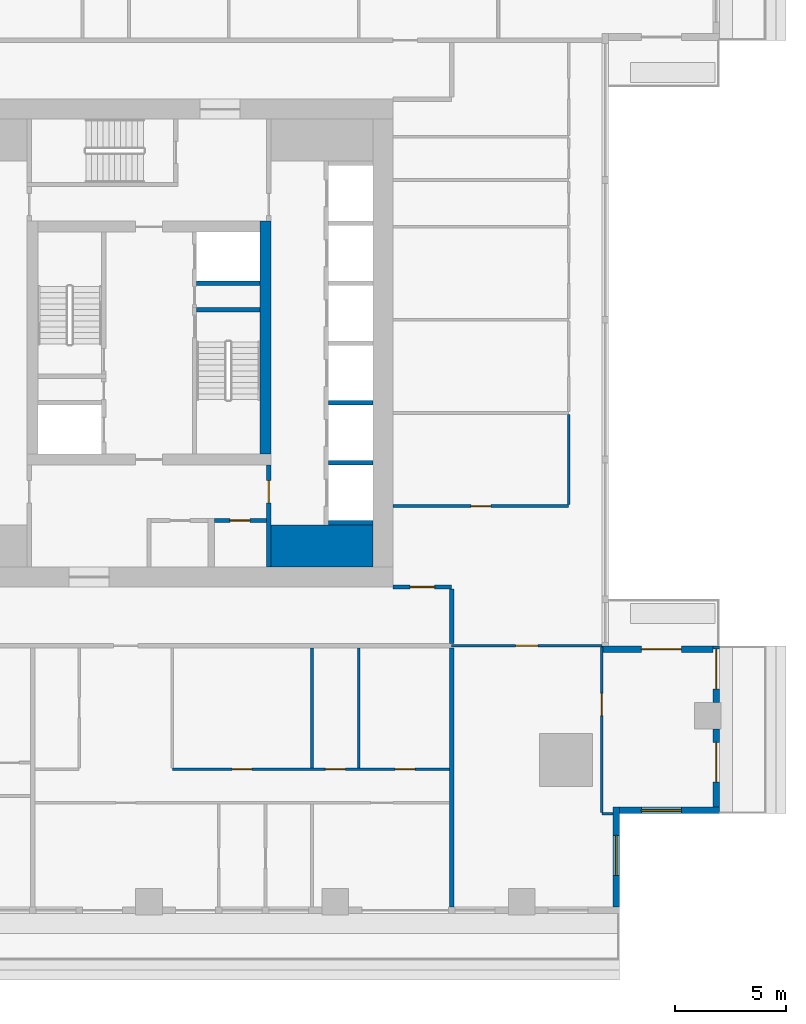
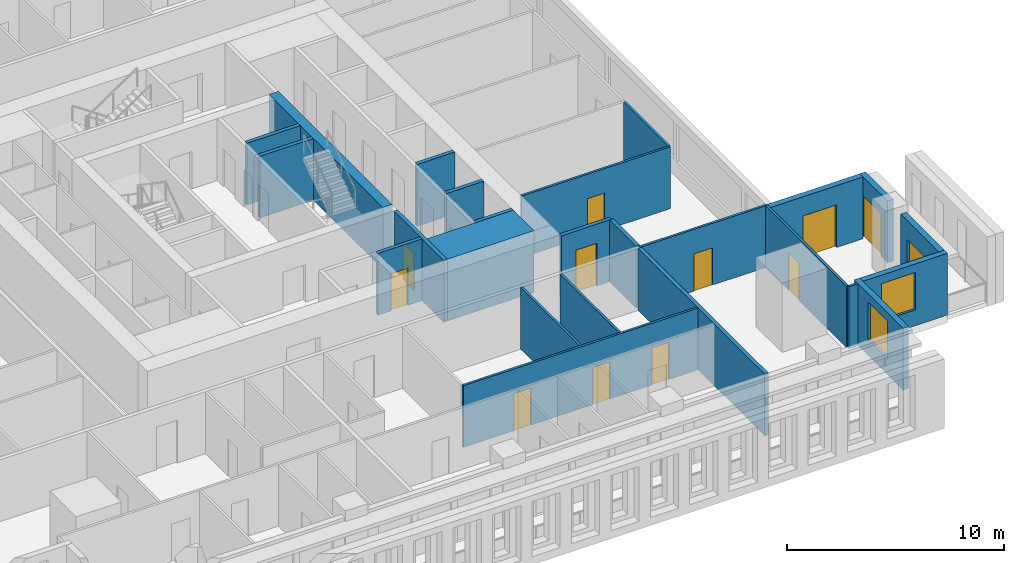
# One storey, part 5 of 15: 25 walls, 12 doors, 2 windows, 14 openings.
"""IFC4 building model written with IfcOpenShell, lengths in metres."""

import ifcopenshell
import ifcopenshell.guid

model = None  # the IFC model being written
_history = None  # IfcOwnerHistory: only IFC2X3 demands one
_inside = {}  # id of a spatial element -> (the spatial element, [elements in it])
_under = {}  # id of a project, library or spatial element -> (it, [spatial elements below it])
_declared = {}  # id of a project -> (the project, [libraries it declares])
_typed = {}  # id of a type object -> (the type object, [elements of that type])
_made_of = {}  # id of a material, layer set ... -> (it, [elements and type objects made of it])


def new_model(schema):
    """Start an empty IFC model of exactly this schema.

    Asked for "IFC4X3", IfcOpenShell would pick the latest addendum, in which some entities
    have other attributes; the version numbers below select the first issue.
    IFC2X3 requires an IfcOwnerHistory on every rooted entity: one is made here for all.
    """
    global model, _history
    if schema == "IFC4X3":
        model = ifcopenshell.file(schema_version=(4, 3, 0, 0))
    else:
        model = ifcopenshell.file(schema=schema)
    _inside.clear()
    _under.clear()
    _declared.clear()
    _typed.clear()
    _made_of.clear()
    _history = None
    if model.schema == "IFC2X3":
        org = make("IfcOrganization", Name="unknown")
        user = make(
            "IfcPersonAndOrganization",
            ThePerson=make("IfcPerson", FamilyName="unknown"),
            TheOrganization=org,
        )
        app = make(
            "IfcApplication",
            ApplicationDeveloper=org,
            Version="unknown",
            ApplicationFullName="unknown",
            ApplicationIdentifier="unknown",
        )
        _history = make(
            "IfcOwnerHistory",
            OwningUser=user,
            OwningApplication=app,
            ChangeAction="ADDED",
            CreationDate=0,
        )
    return model


def make(cls, **values):
    """One entity of the class cls with the attributes given. An attribute that is None is left unset."""
    return model.create_entity(
        cls, **{name: value for name, value in values.items() if value is not None}
    )


def rooted(cls, **values):
    """An entity with a GlobalId (a new one), such as an element, a storey or a relation."""
    return make(cls, GlobalId=ifcopenshell.guid.new(), OwnerHistory=_history, **values)


def si_unit(unit_type, name, prefix=None):
    """IfcSIUnit, for example si_unit("LENGTHUNIT", "METRE", prefix="MILLI")."""
    return make("IfcSIUnit", UnitType=unit_type, Prefix=prefix, Name=name)


def assignment(units):
    """IfcUnitAssignment: the units of a project."""
    return None if units is None else make("IfcUnitAssignment", Units=units)


def point(xyz):
    """IfcCartesianPoint."""
    return None if xyz is None else make("IfcCartesianPoint", Coordinates=xyz)


def direction(xyz):
    """IfcDirection."""
    return None if xyz is None else make("IfcDirection", DirectionRatios=xyz)


def frame(location, z_axis=None, x_axis=None):
    """IfcAxis2Placement3D, a coordinate frame: its origin and axes. An axis left out is left unset."""
    return make(
        "IfcAxis2Placement3D",
        Location=point(location),
        Axis=direction(z_axis),
        RefDirection=direction(x_axis),
    )


def frame_2d(location, x_axis=None):
    """IfcAxis2Placement2D, a coordinate frame in the plane: its origin and x axis."""
    return make(
        "IfcAxis2Placement2D", Location=point(location), RefDirection=direction(x_axis)
    )


def origin():
    """The frame at (0, 0, 0) with its axes left unset."""
    return frame((0.0, 0.0, 0.0))


def place(relative_to, where):
    """IfcLocalPlacement: puts the frame where relative to a parent placement (None: the world)."""
    return make(
        "IfcLocalPlacement", PlacementRelTo=relative_to, RelativePlacement=where
    )


def context(
    kind, dimensions, precision=None, world=None, true_north=None, identifier=None
):
    """IfcGeometricRepresentationContext, for example the 3D "Model" context."""
    return make(
        "IfcGeometricRepresentationContext",
        ContextIdentifier=identifier,
        ContextType=kind,
        CoordinateSpaceDimension=dimensions,
        Precision=precision,
        WorldCoordinateSystem=world,
        TrueNorth=true_north,
    )


def subcontext(parent, identifier, kind, view, scale=None):
    """IfcGeometricRepresentationSubContext, for example "Body" below "Model"."""
    return make(
        "IfcGeometricRepresentationSubContext",
        ContextIdentifier=identifier,
        ContextType=kind,
        ParentContext=parent,
        TargetScale=scale,
        TargetView=view,
    )


def project(units=None, contexts=None):
    """IfcProject with its units and contexts."""
    return rooted(
        "IfcProject",
        Name="project",
        RepresentationContexts=contexts,
        UnitsInContext=assignment(units),
    )


def spatial(cls, under=None, at=None, **own):
    """A site, building, storey or space (cls), placed at a placement, below another one or the project."""
    s = rooted(cls, ObjectPlacement=at, **own)
    if under is not None:
        _under.setdefault(under.id(), (under, []))[1].append(s)
    return s


def profile(cls, at=None, kind="AREA", **sizes):
    """A parametric profile (cls). Its sizes go by their IFC names, for example OverallWidth=200.0."""
    return make(cls, ProfileType=kind, Position=at, **sizes)


def rectangle(**sizes):
    """IfcRectangleProfileDef."""
    return profile("IfcRectangleProfileDef", **sizes)


def extrude(swept, where, along, depth):
    """IfcExtrudedAreaSolid: the profile swept, set in the frame where, extruded along a direction by depth."""
    return make(
        "IfcExtrudedAreaSolid",
        SweptArea=swept,
        Position=where,
        ExtrudedDirection=direction(along),
        Depth=depth,
    )


def shape(context_of_items, identifier, shape_type, items):
    """IfcShapeRepresentation: the items that make up one representation, for example the "Body"."""
    return make(
        "IfcShapeRepresentation",
        ContextOfItems=context_of_items,
        RepresentationIdentifier=identifier,
        RepresentationType=shape_type,
        Items=items,
    )


def material(Name=None, Category=None):
    """IfcMaterial."""
    return make("IfcMaterial", Name=Name, Category=Category)


def layer(
    of_material, thickness, ventilated=None, Name=None, Category=None, Priority=None
):
    """IfcMaterialLayer: one layer of a wall or slab, of a material (None: an air gap)."""
    return make(
        "IfcMaterialLayer",
        Material=of_material,
        LayerThickness=thickness,
        IsVentilated=ventilated,
        Name=Name,
        Category=Category,
        Priority=Priority,
    )


def layer_set(layers, Name=None):
    """IfcMaterialLayerSet."""
    return make("IfcMaterialLayerSet", MaterialLayers=layers, LayerSetName=Name)


def made_of(thing, what):
    """Note that an element or type object is made of a material, layer set ...; save() writes the relation."""
    if what is not None:
        _made_of.setdefault(what.id(), (what, []))[1].append(thing)
    return thing


def type_object(cls, material=None, **own):
    """A type object (cls), such as IfcWallType, which elements share."""
    return made_of(rooted(cls, **own), material)


def element(
    cls,
    number,
    at=None,
    inside=None,
    cuts=None,
    type_object=None,
    material=None,
    context=None,
    identifier="Body",
    shape_type=None,
    held_by="IfcProductDefinitionShape",
    body=None,
    shapes=None,
    **own,
):
    """One element of the class cls, such as IfcWall. Its Tag is "e" and its number.

    at: its placement. inside: the storey or other place that contains it. cuts: it is an
    opening in that element (IfcRelVoidsElement). A single representation is given by context,
    identifier, shape_type and body (its items); several are given by shapes. held_by: the class
    of the entity that holds the representations. save() writes the other relations.
    """
    e = rooted(cls, Tag="e%d" % number, ObjectPlacement=at, **own)
    if body is not None:
        shapes = [shape(context, identifier, shape_type, body)]
    if shapes is not None:
        e.Representation = make(held_by, Representations=shapes)
    if inside is not None:
        _inside.setdefault(inside.id(), (inside, []))[1].append(e)
    if cuts is not None:
        rooted(
            "IfcRelVoidsElement", RelatingBuildingElement=cuts, RelatedOpeningElement=e
        )
    if type_object is not None:
        _typed.setdefault(type_object.id(), (type_object, []))[1].append(e)
    return made_of(e, material)


def fill(opening, filler):
    """IfcRelFillsElement: the door or window that sits in an opening."""
    return rooted(
        "IfcRelFillsElement",
        RelatingOpeningElement=opening,
        RelatedBuildingElement=filler,
    )


def aggregate(whole, parts):
    """IfcRelAggregates: a whole, such as a stair, and the parts it consists of."""
    return rooted("IfcRelAggregates", RelatingObject=whole, RelatedObjects=parts)


def save(model, path):
    """Write the relations noted so far, then the file.

    IfcRelAggregates (storeys below a building ...), IfcRelContainedInSpatialStructure (elements
    in a storey), IfcRelDefinesByType, IfcRelAssociatesMaterial and IfcRelDeclares: one each for
    every whole, place, type object, material and project.
    """
    for whole, parts in _under.values():
        aggregate(whole, parts)
    for where, things in _inside.values():
        rooted(
            "IfcRelContainedInSpatialStructure",
            RelatedElements=things,
            RelatingStructure=where,
        )
    for kind, things in _typed.values():
        rooted("IfcRelDefinesByType", RelatedObjects=things, RelatingType=kind)
    for what, things in _made_of.values():
        rooted("IfcRelAssociatesMaterial", RelatedObjects=things, RelatingMaterial=what)
    for by, libraries in _declared.values():
        rooted("IfcRelDeclares", RelatingContext=by, RelatedDefinitions=libraries)
    model.write(path)


model = new_model("IFC4")

# Units and contexts
model_context = context("Model", 3, precision=1e-05, world=origin(), true_north=direction((0.0, 1.0)))
body_context = subcontext(model_context, "Body", "Model", "MODEL_VIEW")
ifc_project = project(units=[si_unit("LENGTHUNIT", "METRE"), si_unit("AREAUNIT", "SQUARE_METRE"), si_unit("VOLUMEUNIT", "CUBIC_METRE"), si_unit("PLANEANGLEUNIT", "RADIAN"), si_unit("MASSUNIT", "GRAM", prefix="KILO")], contexts=[model_context])

# Site, building, storey
site_placement = place(None, origin())
site = spatial("IfcSite", under=ifc_project, at=site_placement, CompositionType="ELEMENT")
building_placement = place(site_placement, origin())
building = spatial("IfcBuilding", under=site, at=building_placement, Name="Khepri Terraces", CompositionType="ELEMENT")
storey_placement = place(building_placement, frame((0.0, 0.0, 227.39990234375)))
storey = spatial("IfcBuildingStorey", under=building, at=storey_placement, Name="L54", CompositionType="ELEMENT", Elevation=227.39990234375)

# Walls
ifc_material_1 = material(Name="Concrete C50/60", Category="concrete")
ifc_layer_1 = layer(ifc_material_1, 1.89990234375, Name="Concrete C50/60", Category="concrete")
ifc_layer_set_1 = layer_set([ifc_layer_1], Name="Concrete C50/60")
wall_type_1 = type_object("IfcWallType", Name="Core wall 1900 C50/60", PredefinedType="SHEAR", material=ifc_layer_set_1)
wall_1_placement = place(storey_placement, frame((5.5, -9.14990234375, 0.0), z_axis=(0.0, 0.0, 1.0), x_axis=(1.0, 0.0, 0.0)))
element("IfcWall", 1, at=wall_1_placement, inside=storey, type_object=wall_type_1, Name="Core wall PR02 L54", PredefinedType="SHEAR", context=body_context, shape_type="SweptSolid", body=[
    extrude(rectangle(XDim=4.60009765625, YDim=1.89990234375, at=frame_2d((2.300048828125, 0.0))), origin(), (0.0, 0.0, 1.0), 3.47998046875),
])
ifc_layer_2 = layer(ifc_material_1, 0.199951171875, Name="Concrete C50/60", Category="concrete")
ifc_layer_set_2 = layer_set([ifc_layer_2], Name="Concrete C50/60")
wall_type_2 = type_object("IfcWallType", Name="Core wall 200 C50/60", PredefinedType="SHEAR", material=ifc_layer_set_2)
wall_2_placement = place(storey_placement, frame((2.14990234375, 1.5, 0.0), z_axis=(0.0, 0.0, 1.0), x_axis=(1.0, 0.0, 0.0)))
element("IfcWall", 2, at=wall_2_placement, inside=storey, type_object=wall_type_2, Name="Core wall ST04 L54", PredefinedType="SHEAR", context=body_context, shape_type="SweptSolid", body=[
    extrude(rectangle(XDim=2.85009765625, YDim=0.199951171875, at=frame_2d((1.425048828125, 0.0))), origin(), (0.0, 0.0, 1.0), 3.47998046875),
])
for number, where, z_axis, x_axis, name in (
    (3, (8.10009765625, -8.10009765625, 0.0), (0.0, 0.0, 1.0), (1.0, 0.0, 0.0), "Core wall SH03 L54"),
    (4, (8.10009765625, -5.39990234375, 0.0), (0.0, 0.0, 1.0), (1.0, 0.0, 0.0), "Core wall SH04 L54"),
    (5, (8.10009765625, -2.699951171875, 0.0), (0.0, 0.0, 1.0), (1.0, 0.0, 0.0), "Core wall SH08 L54"),
):
    element("IfcWall", number, at=place(storey_placement, frame(where, z_axis=z_axis, x_axis=x_axis)), inside=storey, type_object=wall_type_2, Name=name, PredefinedType="SHEAR", context=body_context, shape_type="SweptSolid", body=[
        extrude(rectangle(XDim=2.0, YDim=0.199951171875, at=frame_2d((1.0, 0.0))), origin(), (0.0, 0.0, 1.0), 3.47998046875),
    ])
wall_3_placement = place(storey_placement, frame((2.14990234375, 2.699951171875, 0.0), z_axis=(0.0, 0.0, 1.0), x_axis=(1.0, 0.0, 0.0)))
element("IfcWall", 6, at=wall_3_placement, inside=storey, type_object=wall_type_2, Name="Core wall SH12 L54", PredefinedType="SHEAR", context=body_context, shape_type="SweptSolid", body=[
    extrude(rectangle(XDim=2.85009765625, YDim=0.199951171875, at=frame_2d((1.425048828125, 0.0))), origin(), (0.0, 0.0, 1.0), 3.47998046875),
])
ifc_layer_3 = layer(ifc_material_1, 0.5, Name="Concrete C50/60", Category="concrete")
ifc_layer_set_3 = layer_set([ifc_layer_3], Name="Concrete C50/60")
wall_type_3 = type_object("IfcWallType", Name="Core wall 500 C50/60", PredefinedType="SHEAR", material=ifc_layer_set_3)
wall_4_placement = place(storey_placement, frame((5.25, -5.0, 0.0), z_axis=(0.0, 0.0, 1.0), x_axis=(0.0, 1.0, 0.0)))
element("IfcWall", 7, at=wall_4_placement, inside=storey, type_object=wall_type_3, Name="Core wall BX03 L54", PredefinedType="SHEAR", context=body_context, shape_type="SweptSolid", body=[
    extrude(rectangle(XDim=10.5, YDim=0.5, at=frame_2d((5.25, 0.0))), origin(), (0.0, 0.0, 1.0), 3.47998046875),
])

# Wall, opening, door
ifc_material_2 = material(Name="Fire-rated gypsum board partition")
ifc_layer_4 = layer(ifc_material_2, 0.199951171875, Name="Fire-rated gypsum board partition")
ifc_layer_set_4 = layer_set([ifc_layer_4], Name="Fire-rated gypsum board partition")
wall_type_4 = type_object("IfcWallType", Name="WL-CORE-PART-200", PredefinedType="PARTITIONING", material=ifc_layer_set_4)
wall_5_placement = place(storey_placement, frame((5.39990234375, -10.10009765625, 0.0), z_axis=(0.0, 0.0, 1.0), x_axis=(0.0, 1.0, 0.0)))
wall_5 = element("IfcWall", 8, at=wall_5_placement, inside=storey, type_object=wall_type_4, Name="Core partition PT04 L54", PredefinedType="PARTITIONING", context=body_context, shape_type="SweptSolid", body=[
    extrude(rectangle(XDim=4.60009765625, YDim=0.199951171875, at=frame_2d((2.300048828125, 0.0))), origin(), (0.0, 0.0, 1.0), 3.47998046875),
])
opening_1_placement = place(wall_5_placement, frame((2.89990234375, 0.0, 0.0)))
opening_1 = element("IfcOpeningElement", 9, at=opening_1_placement, cuts=wall_5, Name="Opening L54-C19", PredefinedType="OPENING", context=body_context, shape_type="SweptSolid", body=[
    extrude(rectangle(XDim=1.0, YDim=2.10009765625, at=frame_2d((0.5, 1.050048828125))), frame((0.0, 0.10986328125, 0.0), z_axis=(0.0, -1.0, 0.0), x_axis=(1.0, 0.0, 0.0)), (0.0, 0.0, 1.0), 0.219970703125),
])
ifc_material_3 = material(Name="Painted steel", Category="steel")
door_type_1 = type_object("IfcDoorType", Name="DR-CORE-LOBBY-1000", OperationType="NOTDEFINED", PredefinedType="DOOR", material=ifc_material_3)
door_1_placement = place(opening_1_placement, origin())
door_1 = element("IfcDoor", 10, at=door_1_placement, inside=storey, type_object=door_type_1, Name="Lobby door L54-C19", OperationType="SINGLE_SWING_RIGHT", OverallHeight=2.10009765625, OverallWidth=1.0, PredefinedType="DOOR", context=body_context, shape_type="SweptSolid", body=[
    extrude(rectangle(XDim=1.0, YDim=2.10009765625, at=frame_2d((0.5, 1.050048828125))), frame((0.0, 0.02490234375, 0.0), z_axis=(0.0, -1.0, 0.0), x_axis=(1.0, 0.0, 0.0)), (0.0, 0.0, 1.0), 0.050048828125),
])
fill(opening_1, door_1)

wall_6_placement = place(storey_placement, frame((2.949951171875, -8.0, 0.0), z_axis=(0.0, 0.0, 1.0), x_axis=(1.0, 0.0, 0.0)))
wall_6 = element("IfcWall", 11, at=wall_6_placement, inside=storey, type_object=wall_type_4, Name="Core partition PT07 L54", PredefinedType="PARTITIONING", context=body_context, shape_type="SweptSolid", body=[
    extrude(rectangle(XDim=2.35009765625, YDim=0.199951171875, at=frame_2d((1.175048828125, 0.0))), origin(), (0.0, 0.0, 1.0), 3.47998046875),
])
opening_2_placement = place(wall_6_placement, frame((0.699951171875, 0.0, 0.0)))
opening_2 = element("IfcOpeningElement", 12, at=opening_2_placement, cuts=wall_6, Name="Opening L54-C23", PredefinedType="OPENING", context=body_context, shape_type="SweptSolid", body=[
    extrude(rectangle(XDim=0.89990234375, YDim=2.10009765625, at=frame_2d((0.449951171875, 1.050048828125))), frame((0.0, 0.10986328125, 0.0), z_axis=(0.0, -1.0, 0.0), x_axis=(1.0, 0.0, 0.0)), (0.0, 0.0, 1.0), 0.219970703125),
])
door_type_2 = type_object("IfcDoorType", Name="DR-CORE-SERVICE-900", OperationType="NOTDEFINED", PredefinedType="DOOR", material=ifc_material_3)
door_2_placement = place(opening_2_placement, frame((0.89990234375, 0.0, 0.0), z_axis=(0.0, 0.0, 1.0), x_axis=(-1.0, 0.0, 0.0)))
door_2 = element("IfcDoor", 13, at=door_2_placement, inside=storey, type_object=door_type_2, Name="Service room door L54-C23", OperationType="SINGLE_SWING_RIGHT", OverallHeight=2.10009765625, OverallWidth=0.89990234375, PredefinedType="DOOR", context=body_context, shape_type="SweptSolid", body=[
    extrude(rectangle(XDim=0.89990234375, YDim=2.10009765625, at=frame_2d((0.449951171875, 1.050048828125))), frame((0.0, 0.02490234375, 0.0), z_axis=(0.0, -1.0, 0.0), x_axis=(1.0, 0.0, 0.0)), (0.0, 0.0, 1.0), 0.050048828125),
])
fill(opening_2, door_2)

# Walls
ifc_material_4 = material(Name="Fire-rated gypsum plasterboard partition, mineral wool")
ifc_layer_5 = layer(ifc_material_4, 0.199951171875, Name="Fire-rated gypsum plasterboard partition, mineral wool")
ifc_layer_set_5 = layer_set([ifc_layer_5], Name="Fire-rated gypsum plasterboard partition, mineral wool")
wall_type_5 = type_object("IfcWallType", Name="WL-CORR-200", PredefinedType="PARTITIONING", material=ifc_layer_set_5)
wall_7_placement = place(storey_placement, frame((13.64990234375, -25.419921875, 0.0), z_axis=(0.0, 0.0, 1.0), x_axis=(0.0, 1.0, 0.0)))
element("IfcWall", 14, at=wall_7_placement, inside=storey, type_object=wall_type_5, Name="Partition P-008 L54", PredefinedType="PARTITIONING", context=body_context, shape_type="SweptSolid", body=[
    extrude(rectangle(XDim=11.669921875, YDim=0.199951171875, at=frame_2d((5.8349609375, 0.0))), origin(), (0.0, 0.0, 1.0), 3.47998046875),
])
wall_8_placement = place(storey_placement, frame((13.64990234375, -13.550048828125, 0.0), z_axis=(0.0, 0.0, 1.0), x_axis=(0.0, 1.0, 0.0)))
element("IfcWall", 15, at=wall_8_placement, inside=storey, type_object=wall_type_5, Name="Partition P-030 L54", PredefinedType="PARTITIONING", context=body_context, shape_type="SweptSolid", body=[
    extrude(rectangle(XDim=2.449951171875, YDim=0.199951171875, at=frame_2d((1.22509765625, 0.0))), origin(), (0.0, 0.0, 1.0), 3.47998046875),
])

# Wall, opening, door
wall_9_placement = place(storey_placement, frame((11.0, -11.0, 0.0), z_axis=(0.0, 0.0, 1.0), x_axis=(1.0, 0.0, 0.0)))
wall_9 = element("IfcWall", 16, at=wall_9_placement, inside=storey, type_object=wall_type_5, Name="Partition P-033 L54", PredefinedType="PARTITIONING", context=body_context, shape_type="SweptSolid", body=[
    extrude(rectangle(XDim=2.64990234375, YDim=0.199951171875, at=frame_2d((1.324951171875, 0.0))), origin(), (0.0, 0.0, 1.0), 3.47998046875),
])
opening_3_placement = place(wall_9_placement, frame((0.77490234375, 0.0, 0.0)))
opening_3 = element("IfcOpeningElement", 17, at=opening_3_placement, cuts=wall_9, Name="Opening D1", PredefinedType="OPENING", context=body_context, shape_type="SweptSolid", body=[
    extrude(rectangle(XDim=1.10009765625, YDim=2.39990234375, at=frame_2d((0.550048828125, 1.199951171875))), frame((0.0, 0.10986328125, 0.0), z_axis=(0.0, -1.0, 0.0), x_axis=(1.0, 0.0, 0.0)), (0.0, 0.0, 1.0), 0.219970703125),
])
ifc_material_5 = material(Name="Solid-core timber door leaf, flat entrance door", Category="wood")
door_type_3 = type_object("IfcDoorType", Name="DR-ENT-1100", OperationType="NOTDEFINED", PredefinedType="DOOR", material=ifc_material_5)
door_3_placement = place(opening_3_placement, origin())
door_3 = element("IfcDoor", 18, at=door_3_placement, inside=storey, type_object=door_type_3, Name="Flat B1 entrance door", OperationType="SINGLE_SWING_LEFT", OverallHeight=2.39990234375, OverallWidth=1.10009765625, PredefinedType="DOOR", context=body_context, shape_type="SweptSolid", body=[
    extrude(rectangle(XDim=1.10009765625, YDim=2.39990234375, at=frame_2d((0.550048828125, 1.199951171875))), frame((0.0, 0.02490234375, 0.0), z_axis=(0.0, -1.0, 0.0), x_axis=(1.0, 0.0, 0.0)), (0.0, 0.0, 1.0), 0.050048828125),
])
fill(opening_3, door_3)

# Wall, opening, window
ifc_material_6 = material(Name="Precast concrete C50/60 warm stone", Category="masonry")
ifc_layer_6 = layer(ifc_material_6, 0.300048828125, Name="Precast concrete C50/60 warm stone", Category="masonry")
ifc_layer_set_6 = layer_set([ifc_layer_6], Name="Precast concrete C50/60 warm stone")
wall_type_6 = type_object("IfcWallType", Name="WL-EXT-PRECAST-300", PredefinedType="STANDARD", material=ifc_layer_set_6)
wall_10_placement = place(storey_placement, frame((21.219970703125, -21.070068359375, 0.0), z_axis=(0.0, 0.0, 1.0), x_axis=(1.0, 0.0, 0.0)))
wall_10 = element("IfcWall", 19, at=wall_10_placement, inside=storey, type_object=wall_type_6, Name="External wall L54 S", PredefinedType="STANDARD", context=body_context, shape_type="SweptSolid", body=[
    extrude(rectangle(XDim=4.5, YDim=0.300048828125, at=frame_2d((2.25, 0.0))), origin(), (0.0, 0.0, 1.0), 3.47998046875),
])
opening_4_placement = place(wall_10_placement, frame((0.97998046875, 0.0, 0.89990234375)))
opening_4 = element("IfcOpeningElement", 20, at=opening_4_placement, cuts=wall_10, Name="Opening W1", PredefinedType="OPENING", context=body_context, shape_type="SweptSolid", body=[
    extrude(rectangle(XDim=1.800048828125, YDim=2.10009765625, at=frame_2d((0.89990234375, 1.050048828125))), frame((0.0, 0.16015625, 0.0), z_axis=(0.0, -1.0, 0.0), x_axis=(1.0, 0.0, 0.0)), (0.0, 0.0, 1.0), 0.320068359375),
])
ifc_material_7 = material(Name="Clear glass", Category="glass")
window_type = type_object("IfcWindowType", Name="WIN-RES-1800x2100", PartitioningType="SINGLE_PANEL", PredefinedType="WINDOW", material=ifc_material_7)
window_1_placement = place(opening_4_placement, origin())
window_1 = element("IfcWindow", 21, at=window_1_placement, inside=storey, type_object=window_type, Name="Window L54 S", OverallHeight=2.10009765625, OverallWidth=1.800048828125, PartitioningType="SINGLE_PANEL", PredefinedType="WINDOW", context=body_context, shape_type="SweptSolid", body=[
    extrude(rectangle(XDim=1.800048828125, YDim=2.10009765625, at=frame_2d((0.89990234375, 1.050048828125))), frame((0.0, 0.030029296875, 0.0), z_axis=(0.0, -1.0, 0.0), x_axis=(1.0, 0.0, 0.0)), (0.0, 0.0, 1.0), 0.06005859375),
])
fill(opening_4, window_1)

# Wall, opening, door
wall_11_placement = place(storey_placement, frame((25.570068359375, -20.919921875, 0.0), z_axis=(0.0, 0.0, 1.0), x_axis=(0.0, 1.0, 0.0)))
wall_11 = element("IfcWall", 22, at=wall_11_placement, inside=storey, type_object=wall_type_6, Name="External wall L54 E", PredefinedType="STANDARD", context=body_context, shape_type="SweptSolid", body=[
    extrude(rectangle(XDim=3.52001953125, YDim=0.300048828125, at=frame_2d((1.760009765625, 0.0))), origin(), (0.0, 0.0, 1.0), 3.47998046875),
])
opening_5_placement = place(wall_11_placement, frame((1.1201171875, 0.0, 0.0)))
opening_5 = element("IfcOpeningElement", 23, at=opening_5_placement, cuts=wall_11, Name="Opening ED-L54-01", PredefinedType="OPENING", context=body_context, shape_type="SweptSolid", body=[
    extrude(rectangle(XDim=1.800048828125, YDim=2.39990234375, at=frame_2d((0.89990234375, 1.199951171875))), frame((0.0, 0.16015625, 0.0), z_axis=(0.0, -1.0, 0.0), x_axis=(1.0, 0.0, 0.0)), (0.0, 0.0, 1.0), 0.320068359375),
])
ifc_material_8 = material(Name="Anodised aluminium bronze glazed door", Category="aluminium")
door_type_4 = type_object("IfcDoorType", Name="DR-BAL-SLIDE-1800x2400", OperationType="NOTDEFINED", PredefinedType="DOOR", material=ifc_material_8)
door_4_placement = place(opening_5_placement, origin())
door_4 = element("IfcDoor", 24, at=door_4_placement, inside=storey, type_object=door_type_4, Name="Balcony door L54 E", OperationType="SLIDING_TO_RIGHT", OverallHeight=2.39990234375, OverallWidth=1.800048828125, PredefinedType="DOOR", context=body_context, shape_type="SweptSolid", body=[
    extrude(rectangle(XDim=1.800048828125, YDim=2.39990234375, at=frame_2d((0.89990234375, 1.199951171875))), frame((0.0, 0.02490234375, 0.0), z_axis=(0.0, -1.0, 0.0), x_axis=(1.0, 0.0, 0.0)), (0.0, 0.0, 1.0), 0.050048828125),
])
fill(opening_5, door_4)

wall_12_placement = place(storey_placement, frame((25.570068359375, -16.199951171875, 0.0), z_axis=(0.0, 0.0, 1.0), x_axis=(0.0, 1.0, 0.0)))
wall_12 = element("IfcWall", 25, at=wall_12_placement, inside=storey, type_object=wall_type_6, Name="External wall L54 E", PredefinedType="STANDARD", context=body_context, shape_type="SweptSolid", body=[
    extrude(rectangle(XDim=2.550048828125, YDim=0.300048828125, at=frame_2d((1.27490234375, 0.0))), origin(), (0.0, 0.0, 1.0), 3.47998046875),
])
opening_6_placement = place(wall_12_placement, frame((0.60009765625, 0.0, 0.0)))
opening_6 = element("IfcOpeningElement", 26, at=opening_6_placement, cuts=wall_12, Name="Opening ED-L54-02", PredefinedType="OPENING", context=body_context, shape_type="SweptSolid", body=[
    extrude(rectangle(XDim=1.800048828125, YDim=2.39990234375, at=frame_2d((0.89990234375, 1.199951171875))), frame((0.0, 0.16015625, 0.0), z_axis=(0.0, -1.0, 0.0), x_axis=(1.0, 0.0, 0.0)), (0.0, 0.0, 1.0), 0.320068359375),
])
door_5_placement = place(opening_6_placement, origin())
door_5 = element("IfcDoor", 27, at=door_5_placement, inside=storey, type_object=door_type_4, Name="Balcony door L54 E", OperationType="SLIDING_TO_LEFT", OverallHeight=2.39990234375, OverallWidth=1.800048828125, PredefinedType="DOOR", context=body_context, shape_type="SweptSolid", body=[
    extrude(rectangle(XDim=1.800048828125, YDim=2.39990234375, at=frame_2d((0.89990234375, 1.199951171875))), frame((0.0, 0.02490234375, 0.0), z_axis=(0.0, -1.0, 0.0), x_axis=(1.0, 0.0, 0.0)), (0.0, 0.0, 1.0), 0.050048828125),
])
fill(opening_6, door_5)

wall_13_placement = place(storey_placement, frame((25.419921875, -13.800048828125, 0.0), z_axis=(0.0, 0.0, 1.0), x_axis=(-1.0, 0.0, 0.0)))
wall_13 = element("IfcWall", 28, at=wall_13_placement, inside=storey, type_object=wall_type_6, Name="External wall L54 N", PredefinedType="STANDARD", context=body_context, shape_type="SweptSolid", body=[
    extrude(rectangle(XDim=5.0, YDim=0.300048828125, at=frame_2d((2.5, 0.0))), origin(), (0.0, 0.0, 1.0), 3.47998046875),
])
opening_7_placement = place(wall_13_placement, frame((1.419921875, 0.0, 0.0)))
opening_7 = element("IfcOpeningElement", 29, at=opening_7_placement, cuts=wall_13, Name="Opening ED-L54-03", PredefinedType="OPENING", context=body_context, shape_type="SweptSolid", body=[
    extrude(rectangle(XDim=1.800048828125, YDim=2.39990234375, at=frame_2d((0.89990234375, 1.199951171875))), frame((0.0, 0.16015625, 0.0), z_axis=(0.0, -1.0, 0.0), x_axis=(1.0, 0.0, 0.0)), (0.0, 0.0, 1.0), 0.320068359375),
])
door_6_placement = place(opening_7_placement, origin())
door_6 = element("IfcDoor", 30, at=door_6_placement, inside=storey, type_object=door_type_4, Name="Balcony door L54 N", OperationType="SLIDING_TO_LEFT", OverallHeight=2.39990234375, OverallWidth=1.800048828125, PredefinedType="DOOR", context=body_context, shape_type="SweptSolid", body=[
    extrude(rectangle(XDim=1.800048828125, YDim=2.39990234375, at=frame_2d((0.89990234375, 1.199951171875))), frame((0.0, 0.02490234375, 0.0), z_axis=(0.0, -1.0, 0.0), x_axis=(1.0, 0.0, 0.0)), (0.0, 0.0, 1.0), 0.050048828125),
])
fill(opening_7, door_6)

# Wall, opening, window
wall_14_placement = place(storey_placement, frame((21.070068359375, -25.419921875, 0.0), z_axis=(0.0, 0.0, 1.0), x_axis=(0.0, 1.0, 0.0)))
wall_14 = element("IfcWall", 31, at=wall_14_placement, inside=storey, type_object=wall_type_6, Name="External wall L54 E", PredefinedType="STANDARD", context=body_context, shape_type="SweptSolid", body=[
    extrude(rectangle(XDim=4.5, YDim=0.300048828125, at=frame_2d((2.25, 0.0))), origin(), (0.0, 0.0, 1.0), 3.47998046875),
])
opening_8_placement = place(wall_14_placement, frame((1.419921875, 0.0, 0.89990234375)))
opening_8 = element("IfcOpeningElement", 32, at=opening_8_placement, cuts=wall_14, Name="Opening W1", PredefinedType="OPENING", context=body_context, shape_type="SweptSolid", body=[
    extrude(rectangle(XDim=1.800048828125, YDim=2.10009765625, at=frame_2d((0.89990234375, 1.050048828125))), frame((0.0, 0.16015625, 0.0), z_axis=(0.0, -1.0, 0.0), x_axis=(1.0, 0.0, 0.0)), (0.0, 0.0, 1.0), 0.320068359375),
])
window_2_placement = place(opening_8_placement, origin())
window_2 = element("IfcWindow", 33, at=window_2_placement, inside=storey, type_object=window_type, Name="Window L54 E", OverallHeight=2.10009765625, OverallWidth=1.800048828125, PartitioningType="SINGLE_PANEL", PredefinedType="WINDOW", context=body_context, shape_type="SweptSolid", body=[
    extrude(rectangle(XDim=1.800048828125, YDim=2.10009765625, at=frame_2d((0.89990234375, 1.050048828125))), frame((0.0, 0.030029296875, 0.0), z_axis=(0.0, -1.0, 0.0), x_axis=(1.0, 0.0, 0.0)), (0.0, 0.0, 1.0), 0.06005859375),
])
fill(opening_8, window_2)

# Wall
ifc_material_9 = material(Name="Gypsum plasterboard partition")
ifc_layer_7 = layer(ifc_material_9, 0.1201171875, Name="Gypsum plasterboard partition")
ifc_layer_set_7 = layer_set([ifc_layer_7], Name="Gypsum plasterboard partition")
wall_type_7 = type_object("IfcWallType", Name="WL-PART-120", PredefinedType="PARTITIONING", material=ifc_layer_set_7)
wall_15_placement = place(storey_placement, frame((20.419921875, -21.218994140625, 0.0), z_axis=(0.0, 0.0, 1.0), x_axis=(1.0, 0.0, 0.0)))
element("IfcWall", 34, at=wall_15_placement, inside=storey, type_object=wall_type_7, Name="Partition P-010 L54", PredefinedType="PARTITIONING", context=body_context, shape_type="SweptSolid", body=[
    extrude(rectangle(XDim=0.5009765625, YDim=0.1201171875, at=frame_2d((0.25048828125, 0.0))), origin(), (0.0, 0.0, 1.0), 3.47998046875),
])

# Wall, opening, door
wall_16_placement = place(storey_placement, frame((20.419921875, -21.158935546875, 0.0), z_axis=(0.0, 0.0, 1.0), x_axis=(0.0, 1.0, 0.0)))
wall_16 = element("IfcWall", 35, at=wall_16_placement, inside=storey, type_object=wall_type_7, Name="Partition P-011 L54", PredefinedType="PARTITIONING", context=body_context, shape_type="SweptSolid", body=[
    extrude(rectangle(XDim=7.447998046875, YDim=0.1201171875, at=frame_2d((3.72412109375, 0.0))), origin(), (0.0, 0.0, 1.0), 3.47998046875),
])
opening_9_placement = place(wall_16_placement, frame((4.359130859375, 0.0, 0.0)))
opening_9 = element("IfcOpeningElement", 36, at=opening_9_placement, cuts=wall_16, Name="Opening D2", PredefinedType="OPENING", context=body_context, shape_type="SweptSolid", body=[
    extrude(rectangle(XDim=1.0, YDim=2.10009765625, at=frame_2d((0.5, 1.050048828125))), frame((0.0, 0.070068359375, 0.0), z_axis=(0.0, -1.0, 0.0), x_axis=(1.0, 0.0, 0.0)), (0.0, 0.0, 1.0), 0.14013671875),
])
ifc_material_10 = material(Name="Timber door leaf, living room door", Category="wood")
door_type_5 = type_object("IfcDoorType", Name="DR-INT-1000", OperationType="NOTDEFINED", PredefinedType="DOOR", material=ifc_material_10)
door_7_placement = place(opening_9_placement, frame((1.0, 0.0, 0.0), z_axis=(0.0, 0.0, 1.0), x_axis=(-1.0, 0.0, 0.0)))
door_7 = element("IfcDoor", 37, at=door_7_placement, inside=storey, type_object=door_type_5, Name="Door Living Room", OperationType="SINGLE_SWING_LEFT", OverallHeight=2.10009765625, OverallWidth=1.0, PredefinedType="DOOR", context=body_context, shape_type="SweptSolid", body=[
    extrude(rectangle(XDim=1.0, YDim=2.10009765625, at=frame_2d((0.5, 1.050048828125))), frame((0.0, 0.02490234375, 0.0), z_axis=(0.0, -1.0, 0.0), x_axis=(1.0, 0.0, 0.0)), (0.0, 0.0, 1.0), 0.050048828125),
])
fill(opening_9, door_7)

# Wall, openings, doors
wall_17_placement = place(storey_placement, frame((1.050048828125, -19.219970703125, 0.0), z_axis=(0.0, 0.0, 1.0), x_axis=(1.0, 0.0, 0.0)))
wall_17 = element("IfcWall", 38, at=wall_17_placement, inside=storey, type_object=wall_type_7, Name="Partition P-016 L54", PredefinedType="PARTITIONING", context=body_context, shape_type="SweptSolid", body=[
    extrude(rectangle(XDim=12.5, YDim=0.1201171875, at=frame_2d((6.25, 0.0))), origin(), (0.0, 0.0, 1.0), 3.47998046875),
])
opening_10_placement = place(wall_17_placement, frame((2.699951171875, 0.0, 0.0)))
opening_10 = element("IfcOpeningElement", 39, at=opening_10_placement, cuts=wall_17, Name="Opening D3", PredefinedType="OPENING", context=body_context, shape_type="SweptSolid", body=[
    extrude(rectangle(XDim=0.89990234375, YDim=2.10009765625, at=frame_2d((0.449951171875, 1.050048828125))), frame((0.0, 0.070068359375, 0.0), z_axis=(0.0, -1.0, 0.0), x_axis=(1.0, 0.0, 0.0)), (0.0, 0.0, 1.0), 0.14013671875),
])
opening_11_placement = place(wall_17_placement, frame((6.89990234375, 0.0, 0.0)))
opening_11 = element("IfcOpeningElement", 40, at=opening_11_placement, cuts=wall_17, Name="Opening D4", PredefinedType="OPENING", context=body_context, shape_type="SweptSolid", body=[
    extrude(rectangle(XDim=0.89990234375, YDim=2.10009765625, at=frame_2d((0.449951171875, 1.050048828125))), frame((0.0, 0.070068359375, 0.0), z_axis=(0.0, -1.0, 0.0), x_axis=(1.0, 0.0, 0.0)), (0.0, 0.0, 1.0), 0.14013671875),
])
opening_12_placement = place(wall_17_placement, frame((10.050048828125, 0.0, 0.0)))
opening_12 = element("IfcOpeningElement", 41, at=opening_12_placement, cuts=wall_17, Name="Opening D3", PredefinedType="OPENING", context=body_context, shape_type="SweptSolid", body=[
    extrude(rectangle(XDim=0.89990234375, YDim=2.10009765625, at=frame_2d((0.449951171875, 1.050048828125))), frame((0.0, 0.070068359375, 0.0), z_axis=(0.0, -1.0, 0.0), x_axis=(1.0, 0.0, 0.0)), (0.0, 0.0, 1.0), 0.14013671875),
])
ifc_material_11 = material(Name="Timber door leaf", Category="wood")
door_type_6 = type_object("IfcDoorType", Name="DR-INT-900", OperationType="NOTDEFINED", PredefinedType="DOOR", material=ifc_material_11)
door_8_placement = place(opening_10_placement, origin())
door_8 = element("IfcDoor", 42, at=door_8_placement, inside=storey, type_object=door_type_6, Name="Door Kitchen", OperationType="SINGLE_SWING_LEFT", OverallHeight=2.10009765625, OverallWidth=0.89990234375, PredefinedType="DOOR", context=body_context, shape_type="SweptSolid", body=[
    extrude(rectangle(XDim=0.89990234375, YDim=2.10009765625, at=frame_2d((0.449951171875, 1.050048828125))), frame((0.0, 0.02490234375, 0.0), z_axis=(0.0, -1.0, 0.0), x_axis=(1.0, 0.0, 0.0)), (0.0, 0.0, 1.0), 0.050048828125),
])
fill(opening_10, door_8)
door_9_placement = place(opening_12_placement, origin())
door_9 = element("IfcDoor", 43, at=door_9_placement, inside=storey, type_object=door_type_6, Name="Door Utility Room", OperationType="SINGLE_SWING_RIGHT", OverallHeight=2.10009765625, OverallWidth=0.89990234375, PredefinedType="DOOR", context=body_context, shape_type="SweptSolid", body=[
    extrude(rectangle(XDim=0.89990234375, YDim=2.10009765625, at=frame_2d((0.449951171875, 1.050048828125))), frame((0.0, 0.02490234375, 0.0), z_axis=(0.0, -1.0, 0.0), x_axis=(1.0, 0.0, 0.0)), (0.0, 0.0, 1.0), 0.050048828125),
])
fill(opening_12, door_9)
ifc_material_12 = material(Name="Timber door leaf, moisture resistant", Category="wood")
door_type_7 = type_object("IfcDoorType", Name="DR-WET-900", OperationType="NOTDEFINED", PredefinedType="DOOR", material=ifc_material_12)
door_10_placement = place(opening_11_placement, origin())
door_10 = element("IfcDoor", 44, at=door_10_placement, inside=storey, type_object=door_type_7, Name="Door Powder Room", OperationType="SINGLE_SWING_RIGHT", OverallHeight=2.10009765625, OverallWidth=0.89990234375, PredefinedType="DOOR", context=body_context, shape_type="SweptSolid", body=[
    extrude(rectangle(XDim=0.89990234375, YDim=2.10009765625, at=frame_2d((0.449951171875, 1.050048828125))), frame((0.0, 0.02490234375, 0.0), z_axis=(0.0, -1.0, 0.0), x_axis=(1.0, 0.0, 0.0)), (0.0, 0.0, 1.0), 0.050048828125),
])
fill(opening_11, door_10)

# Walls
for number, where, z_axis, x_axis, name in (
    (45, (7.35009765625, -19.159912109375, 0.0), (0.0, 0.0, 1.0), (0.0, 1.0, 0.0), "Partition P-019 L54"),
    (46, (9.449951171875, -19.159912109375, 0.0), (0.0, 0.0, 1.0), (0.0, 1.0, 0.0), "Partition P-020 L54"),
):
    element("IfcWall", number, at=place(storey_placement, frame(where, z_axis=z_axis, x_axis=x_axis)), inside=storey, type_object=wall_type_7, Name=name, PredefinedType="PARTITIONING", context=body_context, shape_type="SweptSolid", body=[
        extrude(rectangle(XDim=5.409912109375, YDim=0.1201171875, at=frame_2d((2.705078125, 0.0))), origin(), (0.0, 0.0, 1.0), 3.47998046875),
    ])

# Wall, opening, door
wall_18_placement = place(storey_placement, frame((13.64990234375, -13.64990234375, 0.0), z_axis=(0.0, 0.0, 1.0), x_axis=(1.0, 0.0, 0.0)))
wall_18 = element("IfcWall", 47, at=wall_18_placement, inside=storey, type_object=wall_type_7, Name="Partition P-026 L54", PredefinedType="PARTITIONING", context=body_context, shape_type="SweptSolid", body=[
    extrude(rectangle(XDim=6.76904296875, YDim=0.1201171875, at=frame_2d((3.384521484375, 0.0))), origin(), (0.0, 0.0, 1.0), 3.47998046875),
])
opening_13_placement = place(wall_18_placement, frame((2.884521484375, 0.0, 0.0)))
opening_13 = element("IfcOpeningElement", 48, at=opening_13_placement, cuts=wall_18, Name="Opening D2", PredefinedType="OPENING", context=body_context, shape_type="SweptSolid", body=[
    extrude(rectangle(XDim=1.0, YDim=2.10009765625, at=frame_2d((0.5, 1.050048828125))), frame((0.0, 0.070068359375, 0.0), z_axis=(0.0, -1.0, 0.0), x_axis=(1.0, 0.0, 0.0)), (0.0, 0.0, 1.0), 0.14013671875),
])
door_11_placement = place(opening_13_placement, frame((1.0, 0.0, 0.0), z_axis=(0.0, 0.0, 1.0), x_axis=(-1.0, 0.0, 0.0)))
door_11 = element("IfcDoor", 49, at=door_11_placement, inside=storey, type_object=door_type_5, Name="Door Family Room", OperationType="SINGLE_SWING_LEFT", OverallHeight=2.10009765625, OverallWidth=1.0, PredefinedType="DOOR", context=body_context, shape_type="SweptSolid", body=[
    extrude(rectangle(XDim=1.0, YDim=2.10009765625, at=frame_2d((0.5, 1.050048828125))), frame((0.0, 0.02490234375, 0.0), z_axis=(0.0, -1.0, 0.0), x_axis=(1.0, 0.0, 0.0)), (0.0, 0.0, 1.0), 0.050048828125),
])
fill(opening_13, door_11)

wall_19_placement = place(storey_placement, frame((11.0, -7.35009765625, 0.0), z_axis=(0.0, 0.0, 1.0), x_axis=(1.0, 0.0, 0.0)))
wall_19 = element("IfcWall", 50, at=wall_19_placement, inside=storey, type_object=wall_type_7, Name="Partition P-038 L54", PredefinedType="PARTITIONING", context=body_context, shape_type="SweptSolid", body=[
    extrude(rectangle(XDim=7.919921875, YDim=0.1201171875, at=frame_2d((3.9599609375, 0.0))), origin(), (0.0, 0.0, 1.0), 3.47998046875),
])
opening_14_placement = place(wall_19_placement, frame((3.510009765625, 0.0, 0.0)))
opening_14 = element("IfcOpeningElement", 51, at=opening_14_placement, cuts=wall_19, Name="Opening D3", PredefinedType="OPENING", context=body_context, shape_type="SweptSolid", body=[
    extrude(rectangle(XDim=0.89990234375, YDim=2.10009765625, at=frame_2d((0.449951171875, 1.050048828125))), frame((0.0, 0.070068359375, 0.0), z_axis=(0.0, -1.0, 0.0), x_axis=(1.0, 0.0, 0.0)), (0.0, 0.0, 1.0), 0.14013671875),
])
door_12_placement = place(opening_14_placement, origin())
door_12 = element("IfcDoor", 52, at=door_12_placement, inside=storey, type_object=door_type_6, Name="Door Kitchen", OperationType="SINGLE_SWING_RIGHT", OverallHeight=2.10009765625, OverallWidth=0.89990234375, PredefinedType="DOOR", context=body_context, shape_type="SweptSolid", body=[
    extrude(rectangle(XDim=0.89990234375, YDim=2.10009765625, at=frame_2d((0.449951171875, 1.050048828125))), frame((0.0, 0.02490234375, 0.0), z_axis=(0.0, -1.0, 0.0), x_axis=(1.0, 0.0, 0.0)), (0.0, 0.0, 1.0), 0.050048828125),
])
fill(opening_14, door_12)

# Wall
wall_20_placement = place(storey_placement, frame((18.919921875, -7.2900390625, 0.0), z_axis=(0.0, 0.0, 1.0), x_axis=(0.0, 1.0, 0.0)))
element("IfcWall", 53, at=wall_20_placement, inside=storey, type_object=wall_type_7, Name="Partition P-041 L54", PredefinedType="PARTITIONING", context=body_context, shape_type="SweptSolid", body=[
    extrude(rectangle(XDim=4.080078125, YDim=0.1201171875, at=frame_2d((2.0400390625, 0.0))), origin(), (0.0, 0.0, 1.0), 3.47998046875),
])

save(model, "model.ifc")
